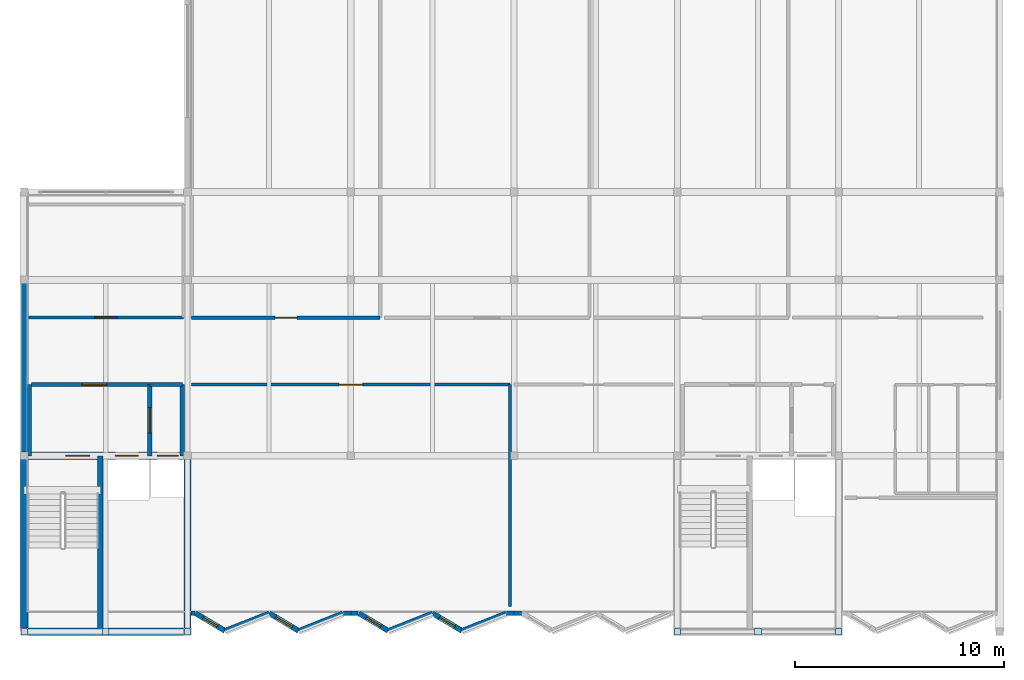
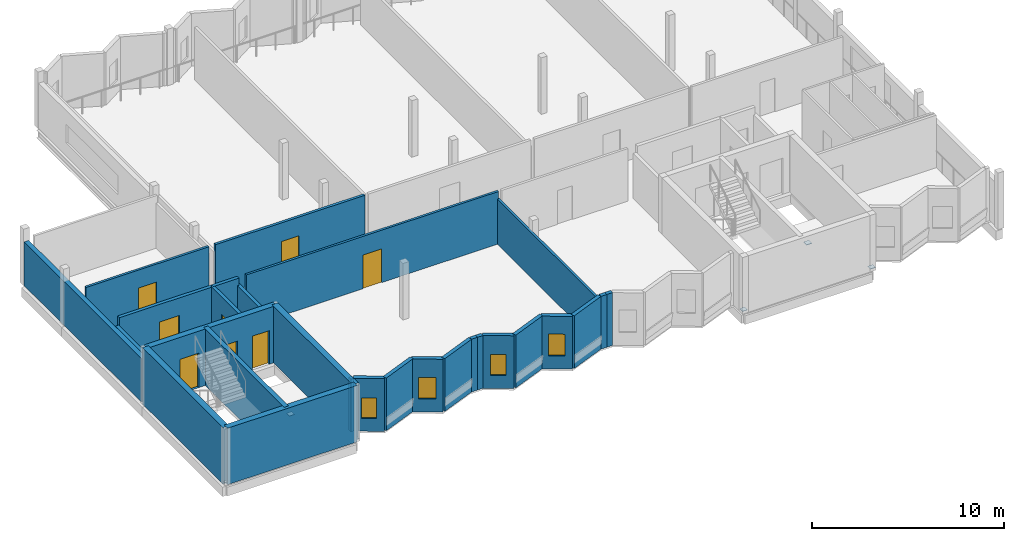
# One storey, part 4 of 11: 28 walls, 8 doors, 6 plates, 4 windows, 12 openings.
"""IFC4 building model written with IfcOpenShell, lengths in metres."""

from ifc_helpers import new_model, si_unit, direction, frame, frame_2d, origin, origin_2d, place, context, subcontext, project, spatial, rectangle, extrude, material, layer, layer_set, type_object, element, fill, save


model = new_model("IFC4")

# Units and contexts
model_context = context("Model", 3, precision=1e-05, world=origin(), true_north=direction((0.0, 1.0)))
body_context = subcontext(model_context, "Body", "Model", "MODEL_VIEW")
ifc_project = project(units=[si_unit("LENGTHUNIT", "METRE"), si_unit("AREAUNIT", "SQUARE_METRE"), si_unit("VOLUMEUNIT", "CUBIC_METRE"), si_unit("PLANEANGLEUNIT", "RADIAN"), si_unit("MASSUNIT", "GRAM", prefix="KILO")], contexts=[model_context])

# Site, building, storey
site_placement = place(None, origin())
site = spatial("IfcSite", under=ifc_project, at=site_placement, CompositionType="ELEMENT")
building_placement = place(site_placement, origin())
building = spatial("IfcBuilding", under=site, at=building_placement, Name="Vharandega Faculty of Natural Sciences", CompositionType="ELEMENT")
storey_placement = place(building_placement, frame((0.0, 0.0, 39.60009765625)))
storey = spatial("IfcBuildingStorey", under=building, at=storey_placement, Name="L10", CompositionType="ELEMENT", Elevation=39.60009765625)

# Plates
ifc_material_1 = material(Name="Steel S355", Category="steel")
ifc_layer_1 = layer(ifc_material_1, 0.02490234375, Name="Steel S355")
ifc_layer_set_1 = layer_set([ifc_layer_1], Name="Steel S355")
plate_type = type_object("IfcPlateType", Name="Hollow Section End Cap Plate 25mm", PredefinedType="USERDEFINED", material=ifc_layer_set_1)
plate_1_placement = place(storey_placement, frame((114.800048828125, 64.0, 0.137451171875), z_axis=(0.0, 0.0, 1.0), x_axis=(1.0, 0.0, 0.0)))
element("IfcPlate", 1, at=plate_1_placement, inside=storey, type_object=plate_type, Name="Node Cap Plate CHV-J-L10 #83", ObjectType="CAP PLATE", PredefinedType="USERDEFINED", context=body_context, shape_type="SweptSolid", body=[
    extrude(rectangle(XDim=0.300048828125, YDim=0.300048828125, at=origin_2d()), origin(), (0.0, 0.0, 1.0), 0.02490234375),
])
plate_2_placement = place(storey_placement, frame((118.699951171875, 64.0, 3.02734375), z_axis=(0.0, 0.0, 1.0), x_axis=(1.0, 0.0, 0.0)))
element("IfcPlate", 2, at=plate_2_placement, inside=storey, type_object=plate_type, Name="Node Cap Plate CHV-J-L10 #84", ObjectType="CAP PLATE", PredefinedType="USERDEFINED", context=body_context, shape_type="SweptSolid", body=[
    extrude(rectangle(XDim=0.320068359375, YDim=0.320068359375, at=origin_2d()), origin(), (0.0, 0.0, 1.0), 0.02490234375),
])
for number, where, z_axis, x_axis, name in (
    (3, (122.60009765625, 64.0, 0.137451171875), (0.0, 0.0, 1.0), (1.0, 0.0, 0.0), "Node Cap Plate CHV-J-L10 #85"),
    (4, (146.0, 64.0, 0.137451171875), (0.0, 0.0, 1.0), (1.0, 0.0, 0.0), "Node Cap Plate CHV-J2-L10 #113"),
):
    element("IfcPlate", number, at=place(storey_placement, frame(where, z_axis=z_axis, x_axis=x_axis)), inside=storey, type_object=plate_type, Name=name, ObjectType="CAP PLATE", PredefinedType="USERDEFINED", context=body_context, shape_type="SweptSolid", body=[
        extrude(rectangle(XDim=0.300048828125, YDim=0.300048828125, at=origin_2d()), origin(), (0.0, 0.0, 1.0), 0.02490234375),
    ])
plate_3_placement = place(storey_placement, frame((149.85009765625, 64.0, 3.02734375), z_axis=(0.0, 0.0, 1.0), x_axis=(1.0, 0.0, 0.0)))
element("IfcPlate", 5, at=plate_3_placement, inside=storey, type_object=plate_type, Name="Node Cap Plate CHV-J2-L10 #114", ObjectType="CAP PLATE", PredefinedType="USERDEFINED", context=body_context, shape_type="SweptSolid", body=[
    extrude(rectangle(XDim=0.320068359375, YDim=0.320068359375, at=origin_2d()), origin(), (0.0, 0.0, 1.0), 0.02490234375),
])
plate_4_placement = place(storey_placement, frame((153.699951171875, 64.0, 0.137451171875), z_axis=(0.0, 0.0, 1.0), x_axis=(1.0, 0.0, 0.0)))
element("IfcPlate", 6, at=plate_4_placement, inside=storey, type_object=plate_type, Name="Node Cap Plate CHV-J2-L10 #115", ObjectType="CAP PLATE", PredefinedType="USERDEFINED", context=body_context, shape_type="SweptSolid", body=[
    extrude(rectangle(XDim=0.300048828125, YDim=0.300048828125, at=origin_2d()), origin(), (0.0, 0.0, 1.0), 0.02490234375),
])

# Walls
ifc_material_2 = material(Name="Concrete C40/50", Category="concrete")
ifc_layer_2 = layer(ifc_material_2, 0.35009765625, Name="Concrete C40/50")
ifc_layer_set_2 = layer_set([ifc_layer_2], Name="Concrete C40/50")
wall_type_1 = type_object("IfcWallType", Name="Core Shear Wall 350", PredefinedType="SHEAR", material=ifc_layer_set_2)
wall_1_placement = place(storey_placement, frame((114.800048828125, 64.0, 0.0), z_axis=(0.0, 0.0, 1.0), x_axis=(1.0, 0.0, 0.0)))
element("IfcWall", 7, at=wall_1_placement, inside=storey, type_object=wall_type_1, Name="Interior Wall CW-C1-L10-S", PredefinedType="SHEAR", context=body_context, shape_type="SweptSolid", body=[
    extrude(rectangle(XDim=7.800048828125, YDim=0.35009765625, at=frame_2d((3.89990234375, 0.0))), origin(), (0.0, 0.0, 1.0), 3.599853515625),
])
for number, where, z_axis, x_axis, name in (
    (8, (114.800048828125, 64.0, 0.0), (0.0, 0.0, 1.0), (0.0, 1.0, 0.0), "Interior Wall CW-C1-L10-W"),
    (9, (122.60009765625, 64.0, 0.0), (0.0, 0.0, 1.0), (0.0, 1.0, 0.0), "Interior Wall CW-C1-L10-E"),
):
    element("IfcWall", number, at=place(storey_placement, frame(where, z_axis=z_axis, x_axis=x_axis)), inside=storey, type_object=wall_type_1, Name=name, PredefinedType="SHEAR", context=body_context, shape_type="SweptSolid", body=[
        extrude(rectangle(XDim=8.39990234375, YDim=0.35009765625, at=frame_2d((4.199951171875, 0.0))), origin(), (0.0, 0.0, 1.0), 3.599853515625),
    ])

# Wall, openings, doors
wall_2_placement = place(storey_placement, frame((114.800048828125, 72.39990234375, 0.0), z_axis=(0.0, 0.0, 1.0), x_axis=(1.0, 0.0, 0.0)))
wall_2 = element("IfcWall", 10, at=wall_2_placement, inside=storey, type_object=wall_type_1, Name="Interior Wall CW-C1-L10-N", PredefinedType="SHEAR", context=body_context, shape_type="SweptSolid", body=[
    extrude(rectangle(XDim=7.800048828125, YDim=0.35009765625, at=frame_2d((3.89990234375, 0.0))), origin(), (0.0, 0.0, 1.0), 3.599853515625),
])
opening_1_placement = place(wall_2_placement, frame((1.97998046875, 0.0, 0.0)))
opening_1 = element("IfcOpeningElement", 11, at=opening_1_placement, cuts=wall_2, Name="Opening FD1", PredefinedType="OPENING", context=body_context, shape_type="SweptSolid", body=[
    extrude(rectangle(XDim=1.14990234375, YDim=2.199951171875, at=frame_2d((0.574951171875, 1.10009765625))), frame((0.0, 0.18505859375, 0.0), z_axis=(0.0, -1.0, 0.0), x_axis=(1.0, 0.0, 0.0)), (0.0, 0.0, 1.0), 0.3701171875),
])
opening_2_placement = place(wall_2_placement, frame((4.35009765625, 0.0, 0.0)))
opening_2 = element("IfcOpeningElement", 12, at=opening_2_placement, cuts=wall_2, Name="Opening LD-FL1-L10", PredefinedType="OPENING", context=body_context, shape_type="SweptSolid", body=[
    extrude(rectangle(XDim=1.10009765625, YDim=2.14990234375, at=frame_2d((0.550048828125, 1.074951171875))), frame((0.0, 0.18505859375, 0.0), z_axis=(0.0, -1.0, 0.0), x_axis=(1.0, 0.0, 0.0)), (0.0, 0.0, 1.0), 0.3701171875),
])
opening_3_placement = place(wall_2_placement, frame((6.360107421875, 0.0, 0.0)))
opening_3 = element("IfcOpeningElement", 13, at=opening_3_placement, cuts=wall_2, Name="Opening LD-LP1-L10", PredefinedType="OPENING", context=body_context, shape_type="SweptSolid", body=[
    extrude(rectangle(XDim=1.0, YDim=2.14990234375, at=frame_2d((0.5, 1.074951171875))), frame((0.0, 0.18505859375, 0.0), z_axis=(0.0, -1.0, 0.0), x_axis=(1.0, 0.0, 0.0)), (0.0, 0.0, 1.0), 0.3701171875),
])
ifc_material_3 = material(Name="Solid-core hardwood timber fire door", Category="wood")
door_type_1 = type_object("IfcDoorType", Name="FD1-STAIR-1150x2200", OperationType="NOTDEFINED", PredefinedType="DOOR", material=ifc_material_3)
door_1_placement = place(opening_1_placement, origin())
door_1 = element("IfcDoor", 14, at=door_1_placement, inside=storey, type_object=door_type_1, Name="Stair ST1 Fire Door FD1", OperationType="SINGLE_SWING_LEFT", OverallHeight=2.199951171875, OverallWidth=1.14990234375, PredefinedType="DOOR", context=body_context, shape_type="SweptSolid", body=[
    extrude(rectangle(XDim=1.14990234375, YDim=2.199951171875, at=frame_2d((0.574951171875, 1.10009765625))), frame((0.0, 0.02490234375, 0.0), z_axis=(0.0, -1.0, 0.0), x_axis=(1.0, 0.0, 0.0)), (0.0, 0.0, 1.0), 0.050048828125),
])
fill(opening_1, door_1)
ifc_material_4 = material(Name="Brushed stainless steel sliding landing door", Category="steel")
door_type_2 = type_object("IfcDoorType", Name="LD1-FFLIFT-SLIDING-1100x2150", OperationType="DOUBLE_DOOR_SLIDING", PredefinedType="DOOR", material=ifc_material_4)
door_2_placement = place(opening_2_placement, origin())
door_2 = element("IfcDoor", 15, at=door_2_placement, inside=storey, type_object=door_type_2, Name="Lift Landing Door LD-FL1-L10", OperationType="DOUBLE_DOOR_SLIDING", OverallHeight=2.14990234375, OverallWidth=1.10009765625, PredefinedType="DOOR", context=body_context, shape_type="SweptSolid", body=[
    extrude(rectangle(XDim=1.10009765625, YDim=2.14990234375, at=frame_2d((0.550048828125, 1.074951171875))), frame((0.0, 0.02490234375, 0.0), z_axis=(0.0, -1.0, 0.0), x_axis=(1.0, 0.0, 0.0)), (0.0, 0.0, 1.0), 0.050048828125),
])
fill(opening_2, door_2)
ifc_material_5 = material(Name="Brushed stainless steel sliding landing door", Category="steel")
door_type_3 = type_object("IfcDoorType", Name="LD2-PAXLIFT-SLIDING-1000x2150", OperationType="DOUBLE_DOOR_SLIDING", PredefinedType="DOOR", material=ifc_material_5)
door_3_placement = place(opening_3_placement, origin())
door_3 = element("IfcDoor", 16, at=door_3_placement, inside=storey, type_object=door_type_3, Name="Lift Landing Door LD-LP1-L10", OperationType="DOUBLE_DOOR_SLIDING", OverallHeight=2.14990234375, OverallWidth=1.0, PredefinedType="DOOR", context=body_context, shape_type="SweptSolid", body=[
    extrude(rectangle(XDim=1.0, YDim=2.14990234375, at=frame_2d((0.5, 1.074951171875))), frame((0.0, 0.02490234375, 0.0), z_axis=(0.0, -1.0, 0.0), x_axis=(1.0, 0.0, 0.0)), (0.0, 0.0, 1.0), 0.050048828125),
])
fill(opening_3, door_3)

# Wall, opening, door
ifc_material_6 = material(Name="Concrete C40/50", Category="concrete")
ifc_layer_3 = layer(ifc_material_6, 0.199951171875, Name="Concrete C40/50")
ifc_layer_set_3 = layer_set([ifc_layer_3], Name="Concrete C40/50")
wall_type_2 = type_object("IfcWallType", Name="Firefighting Lobby Wall 200", PredefinedType="PARTITIONING", material=ifc_layer_set_3)
wall_3_placement = place(storey_placement, frame((115.14990234375, 75.800048828125, 0.0), z_axis=(0.0, 0.0, 1.0), x_axis=(1.0, 0.0, 0.0)))
wall_3 = element("IfcWall", 17, at=wall_3_placement, inside=storey, type_object=wall_type_2, Name="Interior Wall PW-FFL-C1-L10-N", PredefinedType="PARTITIONING", context=body_context, shape_type="SweptSolid", body=[
    extrude(rectangle(XDim=5.650146484375, YDim=0.199951171875, at=frame_2d((2.8251953125, 0.0))), origin(), (0.0, 0.0, 1.0), 3.31982421875),
])
opening_4_placement = place(wall_3_placement, frame((2.39990234375, 0.0, 0.0)))
opening_4 = element("IfcOpeningElement", 18, at=opening_4_placement, cuts=wall_3, Name="Opening FD2", PredefinedType="OPENING", context=body_context, shape_type="SweptSolid", body=[
    extrude(rectangle(XDim=1.199951171875, YDim=2.199951171875, at=frame_2d((0.60009765625, 1.10009765625))), frame((0.0, 0.10986328125, 0.0), z_axis=(0.0, -1.0, 0.0), x_axis=(1.0, 0.0, 0.0)), (0.0, 0.0, 1.0), 0.219970703125),
])
ifc_material_7 = material(Name="Solid-core hardwood timber fire door", Category="wood")
door_type_4 = type_object("IfcDoorType", Name="FD2-FFLOBBY-1200x2200", OperationType="NOTDEFINED", PredefinedType="DOOR", material=ifc_material_7)
door_4_placement = place(opening_4_placement, origin())
door_4 = element("IfcDoor", 19, at=door_4_placement, inside=storey, type_object=door_type_4, Name="Firefighting Lobby C1 Door FD2", OperationType="SINGLE_SWING_LEFT", OverallHeight=2.199951171875, OverallWidth=1.199951171875, PredefinedType="DOOR", context=body_context, shape_type="SweptSolid", body=[
    extrude(rectangle(XDim=1.199951171875, YDim=2.199951171875, at=frame_2d((0.60009765625, 1.10009765625))), frame((0.0, 0.02490234375, 0.0), z_axis=(0.0, -1.0, 0.0), x_axis=(1.0, 0.0, 0.0)), (0.0, 0.0, 1.0), 0.050048828125),
])
fill(opening_4, door_4)

# Wall
wall_4_placement = place(storey_placement, frame((115.050048828125, 72.39990234375, 0.0), z_axis=(0.0, 0.0, 1.0), x_axis=(0.0, 1.0, 0.0)))
element("IfcWall", 20, at=wall_4_placement, inside=storey, type_object=wall_type_2, Name="Interior Wall PW-FFL-C1-L10-W", PredefinedType="PARTITIONING", context=body_context, shape_type="SweptSolid", body=[
    extrude(rectangle(XDim=3.400146484375, YDim=0.199951171875, at=frame_2d((1.7001953125, 0.0))), origin(), (0.0, 0.0, 1.0), 2.789794921875),
])

# Wall, opening, door
wall_5_placement = place(storey_placement, frame((120.800048828125, 72.39990234375, 0.0), z_axis=(0.0, 0.0, 1.0), x_axis=(0.0, 1.0, 0.0)))
wall_5 = element("IfcWall", 21, at=wall_5_placement, inside=storey, type_object=wall_type_2, Name="Interior Wall PW-FFL-C1-L10-E", PredefinedType="PARTITIONING", context=body_context, shape_type="SweptSolid", body=[
    extrude(rectangle(XDim=3.400146484375, YDim=0.199951171875, at=frame_2d((1.7001953125, 0.0))), origin(), (0.0, 0.0, 1.0), 3.31982421875),
])
opening_5_placement = place(wall_5_placement, frame((1.10009765625, 0.0, 0.0)))
opening_5 = element("IfcOpeningElement", 22, at=opening_5_placement, cuts=wall_5, Name="Opening FD2", PredefinedType="OPENING", context=body_context, shape_type="SweptSolid", body=[
    extrude(rectangle(XDim=1.199951171875, YDim=2.199951171875, at=frame_2d((0.60009765625, 1.10009765625))), frame((0.0, 0.10986328125, 0.0), z_axis=(0.0, -1.0, 0.0), x_axis=(1.0, 0.0, 0.0)), (0.0, 0.0, 1.0), 0.219970703125),
])
door_5_placement = place(opening_5_placement, origin())
door_5 = element("IfcDoor", 23, at=door_5_placement, inside=storey, type_object=door_type_4, Name="Lobby Interconnect C1 Door FD2", OperationType="SINGLE_SWING_RIGHT", OverallHeight=2.199951171875, OverallWidth=1.199951171875, PredefinedType="DOOR", context=body_context, shape_type="SweptSolid", body=[
    extrude(rectangle(XDim=1.199951171875, YDim=2.199951171875, at=frame_2d((0.60009765625, 1.10009765625))), frame((0.0, 0.02490234375, 0.0), z_axis=(0.0, -1.0, 0.0), x_axis=(1.0, 0.0, 0.0)), (0.0, 0.0, 1.0), 0.050048828125),
])
fill(opening_5, door_5)

# Walls
wall_6_placement = place(storey_placement, frame((120.800048828125, 75.800048828125, 0.0), z_axis=(0.0, 0.0, 1.0), x_axis=(1.0, 0.0, 0.0)))
element("IfcWall", 24, at=wall_6_placement, inside=storey, type_object=wall_type_2, Name="Interior Wall PW-LL-C1-L10-N", PredefinedType="PARTITIONING", context=body_context, shape_type="SweptSolid", body=[
    extrude(rectangle(XDim=1.550048828125, YDim=0.199951171875, at=frame_2d((0.77490234375, 0.0))), origin(), (0.0, 0.0, 1.0), 3.31982421875),
])
wall_7_placement = place(storey_placement, frame((122.35009765625, 72.39990234375, 0.0), z_axis=(0.0, 0.0, 1.0), x_axis=(0.0, 1.0, 0.0)))
element("IfcWall", 25, at=wall_7_placement, inside=storey, type_object=wall_type_2, Name="Interior Wall PW-LL-C1-L10-E", PredefinedType="PARTITIONING", context=body_context, shape_type="SweptSolid", body=[
    extrude(rectangle(XDim=3.400146484375, YDim=0.199951171875, at=frame_2d((1.7001953125, 0.0))), origin(), (0.0, 0.0, 1.0), 2.869873046875),
])

# Wall, opening, door
ifc_material_8 = material(Name="Gypsum fire-board on steel stud", Category="steel")
ifc_layer_4 = layer(ifc_material_8, 0.159912109375, Name="Gypsum fire-board on steel stud")
ifc_layer_set_4 = layer_set([ifc_layer_4], Name="Gypsum fire-board on steel stud")
wall_type_3 = type_object("IfcWallType", Name="Laboratory Fire Corridor Wall 160", PredefinedType="PARTITIONING", material=ifc_layer_set_4)
wall_8_placement = place(storey_placement, frame((122.800048828125, 79.0, 0.0), z_axis=(0.0, 0.0, 1.0), x_axis=(1.0, 0.0, 0.0)))
wall_8 = element("IfcWall", 26, at=wall_8_placement, inside=storey, type_object=wall_type_3, Name="Interior Wall PW-L10-R08S", PredefinedType="PARTITIONING", context=body_context, shape_type="SweptSolid", body=[
    extrude(rectangle(XDim=9.0, YDim=0.159912109375, at=frame_2d((4.5, 0.0))), origin(), (0.0, 0.0, 1.0), 3.33984375),
])
opening_6_placement = place(wall_8_placement, frame((3.97509765625, 0.0, 0.0)))
opening_6 = element("IfcOpeningElement", 27, at=opening_6_placement, cuts=wall_8, Name="Opening FD4", PredefinedType="OPENING", context=body_context, shape_type="SweptSolid", body=[
    extrude(rectangle(XDim=1.050048828125, YDim=2.14990234375, at=frame_2d((0.52490234375, 1.074951171875))), frame((0.0, 0.08984375, 0.0), z_axis=(0.0, -1.0, 0.0), x_axis=(1.0, 0.0, 0.0)), (0.0, 0.0, 1.0), 0.179931640625),
])
ifc_material_9 = material(Name="Solid-core hardwood timber fire door", Category="wood")
door_type_5 = type_object("IfcDoorType", Name="FD4-LAB-SGL-1050x2150", OperationType="NOTDEFINED", PredefinedType="DOOR", material=ifc_material_9)
door_6_placement = place(opening_6_placement, origin())
door_6 = element("IfcDoor", 28, at=door_6_placement, inside=storey, type_object=door_type_5, Name="Atmospheric and Highveld Climate Laboratory Door FD4", OperationType="SINGLE_SWING_RIGHT", OverallHeight=2.14990234375, OverallWidth=1.050048828125, PredefinedType="DOOR", context=body_context, shape_type="SweptSolid", body=[
    extrude(rectangle(XDim=1.050048828125, YDim=2.14990234375, at=frame_2d((0.52490234375, 1.074951171875))), frame((0.0, 0.02490234375, 0.0), z_axis=(0.0, -1.0, 0.0), x_axis=(1.0, 0.0, 0.0)), (0.0, 0.0, 1.0), 0.050048828125),
])
fill(opening_6, door_6)

# Wall
ifc_material_10 = material(Name="Concrete C40/50", Category="concrete")
ifc_layer_5 = layer(ifc_material_10, 0.260009765625, Name="Concrete C40/50")
ifc_layer_set_5 = layer_set([ifc_layer_5], Name="Concrete C40/50")
wall_type_4 = type_object("IfcWallType", Name="Lift Shaft Shear Wall 260", PredefinedType="SHEAR", material=ifc_layer_set_5)
wall_9_placement = place(storey_placement, frame((118.43994140625, 64.0, 0.0), z_axis=(0.0, 0.0, 1.0), x_axis=(0.0, 1.0, 0.0)))
element("IfcWall", 29, at=wall_9_placement, inside=storey, type_object=wall_type_4, Name="Interior Wall CW-C1-L10-DIV", PredefinedType="SHEAR", context=body_context, shape_type="SweptSolid", body=[
    extrude(rectangle(XDim=8.39990234375, YDim=0.260009765625, at=frame_2d((4.199951171875, 0.0))), origin(), (0.0, 0.0, 1.0), 3.599853515625),
])

# Wall, opening, door
ifc_material_11 = material(Name="Gypsum acoustic partition", Category="gypsum")
ifc_layer_6 = layer(ifc_material_11, 0.139892578125, Name="Gypsum acoustic partition")
ifc_layer_set_6 = layer_set([ifc_layer_6], Name="Gypsum acoustic partition")
wall_type_5 = type_object("IfcWallType", Name="Room Partition Wall 140", PredefinedType="PARTITIONING", material=ifc_layer_set_6)
wall_10_placement = place(storey_placement, frame((115.0, 79.0, 0.0), z_axis=(0.0, 0.0, 1.0), x_axis=(1.0, 0.0, 0.0)))
wall_10 = element("IfcWall", 30, at=wall_10_placement, inside=storey, type_object=wall_type_5, Name="Interior Wall PW-L10-R01S", PredefinedType="PARTITIONING", context=body_context, shape_type="SweptSolid", body=[
    extrude(rectangle(XDim=7.39990234375, YDim=0.139892578125, at=frame_2d((3.699951171875, 0.0))), origin(), (0.0, 0.0, 1.0), 3.33984375),
])
opening_7_placement = place(wall_10_placement, frame((3.159912109375, 0.0, 0.0)))
opening_7 = element("IfcOpeningElement", 31, at=opening_7_placement, cuts=wall_10, Name="Opening D0372", PredefinedType="OPENING", context=body_context, shape_type="SweptSolid", body=[
    extrude(rectangle(XDim=1.080078125, YDim=2.199951171875, at=frame_2d((0.5400390625, 1.10009765625))), frame((0.0, 0.080078125, 0.0), z_axis=(0.0, -1.0, 0.0), x_axis=(1.0, 0.0, 0.0)), (0.0, 0.0, 1.0), 0.159912109375),
])
ifc_material_12 = material(Name="Solid-core hardwood timber fire door", Category="wood")
door_type_6 = type_object("IfcDoorType", Name="ID03-SEMINAR-1080x2200", OperationType="NOTDEFINED", PredefinedType="DOOR", material=ifc_material_12)
door_7_placement = place(opening_7_placement, origin())
door_7 = element("IfcDoor", 32, at=door_7_placement, inside=storey, type_object=door_type_6, Name="Spectrometer Gas-Cylinder Control Room Door D0372", OperationType="SINGLE_SWING_LEFT", OverallHeight=2.199951171875, OverallWidth=1.080078125, PredefinedType="DOOR", context=body_context, shape_type="SweptSolid", body=[
    extrude(rectangle(XDim=1.080078125, YDim=2.199951171875, at=frame_2d((0.5400390625, 1.10009765625))), frame((0.0, 0.02490234375, 0.0), z_axis=(0.0, -1.0, 0.0), x_axis=(1.0, 0.0, 0.0)), (0.0, 0.0, 1.0), 0.050048828125),
])
fill(opening_7, door_7)

wall_11_placement = place(storey_placement, frame((122.800048828125, 75.800048828125, 0.0), z_axis=(0.0, 0.0, 1.0), x_axis=(1.0, 0.0, 0.0)))
wall_11 = element("IfcWall", 33, at=wall_11_placement, inside=storey, type_object=wall_type_5, Name="Interior Wall PW-L10-R02N", PredefinedType="PARTITIONING", context=body_context, shape_type="SweptSolid", body=[
    extrude(rectangle(XDim=15.199951171875, YDim=0.139892578125, at=frame_2d((7.60009765625, 0.0))), origin(), (0.0, 0.0, 1.0), 3.33984375),
])
opening_8_placement = place(wall_11_placement, frame((7.0400390625, 0.0, 0.0)))
opening_8 = element("IfcOpeningElement", 34, at=opening_8_placement, cuts=wall_11, Name="Opening D0373", PredefinedType="OPENING", context=body_context, shape_type="SweptSolid", body=[
    extrude(rectangle(XDim=1.1201171875, YDim=2.14990234375, at=frame_2d((0.56005859375, 1.074951171875))), frame((0.0, 0.080078125, 0.0), z_axis=(0.0, -1.0, 0.0), x_axis=(1.0, 0.0, 0.0)), (0.0, 0.0, 1.0), 0.159912109375),
])
ifc_material_13 = material(Name="Solid-core hardwood timber fire door", Category="wood")
door_type_7 = type_object("IfcDoorType", Name="ID12-STUDIO-1120x2150", OperationType="NOTDEFINED", PredefinedType="DOOR", material=ifc_material_13)
door_8_placement = place(opening_8_placement, origin())
door_8 = element("IfcDoor", 35, at=door_8_placement, inside=storey, type_object=door_type_7, Name="Faculty Research Write-Up Studio 10B Door D0373", OperationType="SINGLE_SWING_RIGHT", OverallHeight=2.14990234375, OverallWidth=1.1201171875, PredefinedType="DOOR", context=body_context, shape_type="SweptSolid", body=[
    extrude(rectangle(XDim=1.1201171875, YDim=2.14990234375, at=frame_2d((0.56005859375, 1.074951171875))), frame((0.0, 0.02490234375, 0.0), z_axis=(0.0, -1.0, 0.0), x_axis=(1.0, 0.0, 0.0)), (0.0, 0.0, 1.0), 0.050048828125),
])
fill(opening_8, door_8)

# Wall
wall_12_placement = place(storey_placement, frame((138.0, 65.199951171875, 0.0), z_axis=(0.0, 0.0, 1.0), x_axis=(0.0, 1.0, 0.0)))
element("IfcWall", 36, at=wall_12_placement, inside=storey, type_object=wall_type_5, Name="Interior Wall PW-L10-R02E", PredefinedType="PARTITIONING", context=body_context, shape_type="SweptSolid", body=[
    extrude(rectangle(XDim=10.60009765625, YDim=0.139892578125, at=frame_2d((5.300048828125, 0.0))), origin(), (0.0, 0.0, 1.0), 2.869873046875),
])

# Wall, opening, window
ifc_material_14 = material(Name="Precast concrete C40/50", Category="concrete")
ifc_layer_7 = layer(ifc_material_14, 0.25, Name="Precast concrete C40/50")
ifc_layer_set_7 = layer_set([ifc_layer_7], Name="Precast concrete C40/50")
wall_type_6 = type_object("IfcWallType", Name="Sawtooth Glazed-Face Precast Wall 250", PredefinedType="SOLIDWALL", material=ifc_layer_set_7)
wall_13_placement = place(storey_placement, frame((124.387939453125, 64.0400390625, 0.0), z_axis=(0.0, 0.0, 1.0), x_axis=(-0.858817206091, 0.512282155185, 0.0)))
wall_13 = element("IfcWall", 37, at=wall_13_placement, inside=storey, type_object=wall_type_6, Name="Exterior Wall EW-SAW-L10-S01G", PredefinedType="SOLIDWALL", context=body_context, shape_type="SweptSolid", body=[
    extrude(rectangle(XDim=1.639404296875, YDim=0.25, at=frame_2d((0.81982421875, 0.0))), origin(), (0.0, 0.0, 1.0), 3.35986328125),
])
opening_9_placement = place(wall_13_placement, frame((0.4296875, 0.0, 0.820068359375)))
opening_9 = element("IfcOpeningElement", 38, at=opening_9_placement, cuts=wall_13, Name="Opening WN-06A", PredefinedType="OPENING", context=body_context, shape_type="SweptSolid", body=[
    extrude(rectangle(XDim=0.780029296875, YDim=1.300048828125, at=frame_2d((0.39013671875, 0.64990234375))), frame((0.0, 0.135009765625, 0.0), z_axis=(0.0, -1.0, 0.0), x_axis=(1.0, 0.0, 0.0)), (0.0, 0.0, 1.0), 0.27001953125),
])
ifc_material_15 = material(Name="Double-glazed solar-control glass in thermally broken aluminium frame", Category="aluminium")
window_type_1 = type_object("IfcWindowType", Name="WIN-SAW-078x130", PartitioningType="SINGLE_PANEL", PredefinedType="WINDOW", material=ifc_material_15)
window_1_placement = place(opening_9_placement, origin())
window_1 = element("IfcWindow", 39, at=window_1_placement, inside=storey, type_object=window_type_1, Name="Window WIN-L10-0119", OverallHeight=1.300048828125, OverallWidth=0.780029296875, PartitioningType="SINGLE_PANEL", PredefinedType="WINDOW", context=body_context, shape_type="SweptSolid", body=[
    extrude(rectangle(XDim=0.780029296875, YDim=1.300048828125, at=frame_2d((0.39013671875, 0.64990234375))), frame((0.0, 0.030029296875, 0.0), z_axis=(0.0, -1.0, 0.0), x_axis=(1.0, 0.0, 0.0)), (0.0, 0.0, 1.0), 0.06005859375),
])
fill(opening_9, window_1)

wall_14_placement = place(storey_placement, frame((127.907958984375, 64.0400390625, 0.0), z_axis=(0.0, 0.0, 1.0), x_axis=(-0.858817206091, 0.512282155185, 0.0)))
wall_14 = element("IfcWall", 40, at=wall_14_placement, inside=storey, type_object=wall_type_6, Name="Exterior Wall EW-SAW-L10-S02G", PredefinedType="SOLIDWALL", context=body_context, shape_type="SweptSolid", body=[
    extrude(rectangle(XDim=1.639404296875, YDim=0.25, at=frame_2d((0.81982421875, 0.0))), origin(), (0.0, 0.0, 1.0), 3.35986328125),
])
opening_10_placement = place(wall_14_placement, frame((0.35986328125, 0.0, 0.820068359375)))
opening_10 = element("IfcOpeningElement", 41, at=opening_10_placement, cuts=wall_14, Name="Opening WN-06B", PredefinedType="OPENING", context=body_context, shape_type="SweptSolid", body=[
    extrude(rectangle(XDim=0.919921875, YDim=1.3798828125, at=frame_2d((0.4599609375, 0.68994140625))), frame((0.0, 0.135009765625, 0.0), z_axis=(0.0, -1.0, 0.0), x_axis=(1.0, 0.0, 0.0)), (0.0, 0.0, 1.0), 0.27001953125),
])
ifc_material_16 = material(Name="Double-glazed solar-control glass in thermally broken aluminium frame", Category="aluminium")
window_type_2 = type_object("IfcWindowType", Name="WIN-SAW-092x138", PartitioningType="SINGLE_PANEL", PredefinedType="WINDOW", material=ifc_material_16)
window_2_placement = place(opening_10_placement, origin())
window_2 = element("IfcWindow", 42, at=window_2_placement, inside=storey, type_object=window_type_2, Name="Window WIN-L10-0120", OverallHeight=1.3798828125, OverallWidth=0.919921875, PartitioningType="SINGLE_PANEL", PredefinedType="WINDOW", context=body_context, shape_type="SweptSolid", body=[
    extrude(rectangle(XDim=0.919921875, YDim=1.3798828125, at=frame_2d((0.4599609375, 0.68994140625))), frame((0.0, 0.030029296875, 0.0), z_axis=(0.0, -1.0, 0.0), x_axis=(1.0, 0.0, 0.0)), (0.0, 0.0, 1.0), 0.06005859375),
])
fill(opening_10, window_2)

wall_15_placement = place(storey_placement, frame((132.18798828125, 64.0400390625, 0.0), z_axis=(0.0, 0.0, 1.0), x_axis=(-0.858817206091, 0.512282155185, 0.0)))
wall_15 = element("IfcWall", 43, at=wall_15_placement, inside=storey, type_object=wall_type_6, Name="Exterior Wall EW-SAW-L10-S03G", PredefinedType="SOLIDWALL", context=body_context, shape_type="SweptSolid", body=[
    extrude(rectangle(XDim=1.639404296875, YDim=0.25, at=frame_2d((0.81982421875, 0.0))), origin(), (0.0, 0.0, 1.0), 3.35986328125),
])
opening_11_placement = place(wall_15_placement, frame((0.419921875, 0.0, 0.820068359375)))
opening_11 = element("IfcOpeningElement", 44, at=opening_11_placement, cuts=wall_15, Name="Opening WN-01", PredefinedType="OPENING", context=body_context, shape_type="SweptSolid", body=[
    extrude(rectangle(XDim=0.800048828125, YDim=1.35009765625, at=frame_2d((0.39990234375, 0.675048828125))), frame((0.0, 0.135009765625, 0.0), z_axis=(0.0, -1.0, 0.0), x_axis=(1.0, 0.0, 0.0)), (0.0, 0.0, 1.0), 0.27001953125),
])
ifc_material_17 = material(Name="Double-glazed solar-control glass in thermally broken aluminium frame", Category="aluminium")
window_type_3 = type_object("IfcWindowType", Name="WIN-SAW-080x135", PartitioningType="SINGLE_PANEL", PredefinedType="WINDOW", material=ifc_material_17)
window_3_placement = place(opening_11_placement, origin())
window_3 = element("IfcWindow", 45, at=window_3_placement, inside=storey, type_object=window_type_3, Name="Window WIN-L10-0121", OverallHeight=1.35009765625, OverallWidth=0.800048828125, PartitioningType="SINGLE_PANEL", PredefinedType="WINDOW", context=body_context, shape_type="SweptSolid", body=[
    extrude(rectangle(XDim=0.800048828125, YDim=1.35009765625, at=frame_2d((0.39990234375, 0.675048828125))), frame((0.0, 0.030029296875, 0.0), z_axis=(0.0, -1.0, 0.0), x_axis=(1.0, 0.0, 0.0)), (0.0, 0.0, 1.0), 0.06005859375),
])
fill(opening_11, window_3)

wall_16_placement = place(storey_placement, frame((135.7080078125, 64.0400390625, 0.0), z_axis=(0.0, 0.0, 1.0), x_axis=(-0.858817206091, 0.512282155185, 0.0)))
wall_16 = element("IfcWall", 46, at=wall_16_placement, inside=storey, type_object=wall_type_6, Name="Exterior Wall EW-SAW-L10-S04G", PredefinedType="SOLIDWALL", context=body_context, shape_type="SweptSolid", body=[
    extrude(rectangle(XDim=1.639404296875, YDim=0.25, at=frame_2d((0.81982421875, 0.0))), origin(), (0.0, 0.0, 1.0), 3.35986328125),
])
opening_12_placement = place(wall_16_placement, frame((0.394775390625, 0.0, 0.820068359375)))
opening_12 = element("IfcOpeningElement", 47, at=opening_12_placement, cuts=wall_16, Name="Opening WN-02", PredefinedType="OPENING", context=body_context, shape_type="SweptSolid", body=[
    extrude(rectangle(XDim=0.85009765625, YDim=1.39990234375, at=frame_2d((0.425048828125, 0.699951171875))), frame((0.0, 0.135009765625, 0.0), z_axis=(0.0, -1.0, 0.0), x_axis=(1.0, 0.0, 0.0)), (0.0, 0.0, 1.0), 0.27001953125),
])
ifc_material_18 = material(Name="Double-glazed solar-control glass in thermally broken aluminium frame", Category="aluminium")
window_type_4 = type_object("IfcWindowType", Name="WIN-SAW-085x140", PartitioningType="SINGLE_PANEL", PredefinedType="WINDOW", material=ifc_material_18)
window_4_placement = place(opening_12_placement, origin())
window_4 = element("IfcWindow", 48, at=window_4_placement, inside=storey, type_object=window_type_4, Name="Window WIN-L10-0122", OverallHeight=1.39990234375, OverallWidth=0.85009765625, PartitioningType="SINGLE_PANEL", PredefinedType="WINDOW", context=body_context, shape_type="SweptSolid", body=[
    extrude(rectangle(XDim=0.85009765625, YDim=1.39990234375, at=frame_2d((0.425048828125, 0.699951171875))), frame((0.0, 0.030029296875, 0.0), z_axis=(0.0, -1.0, 0.0), x_axis=(1.0, 0.0, 0.0)), (0.0, 0.0, 1.0), 0.06005859375),
])
fill(opening_12, window_4)

# Walls
ifc_material_19 = material(Name="Precast concrete C40/50", Category="concrete")
ifc_layer_8 = layer(ifc_material_19, 0.22998046875, Name="Precast concrete C40/50")
ifc_layer_set_8 = layer_set([ifc_layer_8], Name="Precast concrete C40/50")
wall_type_7 = type_object("IfcWallType", Name="Sawtooth Solid White Precast Wall 230", PredefinedType="SOLIDWALL", material=ifc_layer_set_8)
wall_17_placement = place(storey_placement, frame((122.949951171875, 64.8798828125, 0.0), z_axis=(0.0, 0.0, 1.0), x_axis=(-1.0, 0.0, 0.0)))
element("IfcWall", 49, at=wall_17_placement, inside=storey, type_object=wall_type_7, Name="Exterior Wall EW-SHL-L10-S1617FL", PredefinedType="SOLIDWALL", context=body_context, shape_type="SweptSolid", body=[
    extrude(rectangle(XDim=0.179931640625, YDim=0.22998046875, at=frame_2d((0.08984375, 0.0))), origin(), (0.0, 0.0, 1.0), 3.35986328125),
])
wall_18_placement = place(storey_placement, frame((130.39990234375, 64.8798828125, 0.0), z_axis=(0.0, 0.0, 1.0), x_axis=(-1.0, 0.0, 0.0)))
element("IfcWall", 50, at=wall_18_placement, inside=storey, type_object=wall_type_7, Name="Exterior Wall EW-SHL-L10-S1617FR", PredefinedType="SOLIDWALL", context=body_context, shape_type="SweptSolid", body=[
    extrude(rectangle(XDim=0.35986328125, YDim=0.22998046875, at=frame_2d((0.179931640625, 0.0))), origin(), (0.0, 0.0, 1.0), 3.35986328125),
])
wall_19_placement = place(storey_placement, frame((130.75, 64.8798828125, 0.0), z_axis=(0.0, 0.0, 1.0), x_axis=(-1.0, 0.0, 0.0)))
element("IfcWall", 51, at=wall_19_placement, inside=storey, type_object=wall_type_7, Name="Exterior Wall EW-SHL-L10-S1718FL", PredefinedType="SOLIDWALL", context=body_context, shape_type="SweptSolid", body=[
    extrude(rectangle(XDim=0.35009765625, YDim=0.22998046875, at=frame_2d((0.175048828125, 0.0))), origin(), (0.0, 0.0, 1.0), 3.35986328125),
])
wall_20_placement = place(storey_placement, frame((138.199951171875, 64.8798828125, 0.0), z_axis=(0.0, 0.0, 1.0), x_axis=(-1.0, 0.0, 0.0)))
element("IfcWall", 52, at=wall_20_placement, inside=storey, type_object=wall_type_7, Name="Exterior Wall EW-SHL-L10-S1718FR", PredefinedType="SOLIDWALL", context=body_context, shape_type="SweptSolid", body=[
    extrude(rectangle(XDim=0.35986328125, YDim=0.22998046875, at=frame_2d((0.179931640625, 0.0))), origin(), (0.0, 0.0, 1.0), 3.35986328125),
])
wall_21_placement = place(storey_placement, frame((138.550048828125, 64.8798828125, 0.0), z_axis=(0.0, 0.0, 1.0), x_axis=(-1.0, 0.0, 0.0)))
element("IfcWall", 53, at=wall_21_placement, inside=storey, type_object=wall_type_7, Name="Exterior Wall EW-SHL-L10-S1819FL", PredefinedType="SOLIDWALL", context=body_context, shape_type="SweptSolid", body=[
    extrude(rectangle(XDim=0.35009765625, YDim=0.22998046875, at=frame_2d((0.175048828125, 0.0))), origin(), (0.0, 0.0, 1.0), 3.35986328125),
])
for number, where, z_axis, x_axis, name in (
    (54, (126.5, 64.8798828125, 0.0), (0.0, 0.0, 1.0), (-0.929230364612, -0.369500919462, 0.0), "Exterior Wall EW-SAW-L10-S01S"),
    (55, (130.02001953125, 64.8798828125, 0.0), (0.0, 0.0, 1.0), (-0.929230364612, -0.369500919462, 0.0), "Exterior Wall EW-SAW-L10-S02S"),
    (56, (134.300048828125, 64.8798828125, 0.0), (0.0, 0.0, 1.0), (-0.929230364612, -0.369500919462, 0.0), "Exterior Wall EW-SAW-L10-S03S"),
    (57, (137.820068359375, 64.8798828125, 0.0), (0.0, 0.0, 1.0), (-0.929230364612, -0.369500919462, 0.0), "Exterior Wall EW-SAW-L10-S04S"),
):
    element("IfcWall", number, at=place(storey_placement, frame(where, z_axis=z_axis, x_axis=x_axis)), inside=storey, type_object=wall_type_7, Name=name, PredefinedType="SOLIDWALL", context=body_context, shape_type="SweptSolid", body=[
        extrude(rectangle(XDim=2.27294921875, YDim=0.22998046875, at=frame_2d((1.136474609375, 0.0))), origin(), (0.0, 0.0, 1.0), 3.35986328125),
    ])
ifc_material_20 = material(Name="Precast concrete C40/50", Category="concrete")
ifc_layer_9 = layer(ifc_material_20, 0.280029296875, Name="Precast concrete C40/50")
ifc_layer_set_9 = layer_set([ifc_layer_9], Name="Precast concrete C40/50")
wall_type_8 = type_object("IfcWallType", Name="White Precast End Wall 280", PredefinedType="SOLIDWALL", material=ifc_layer_set_9)
wall_22_placement = place(storey_placement, frame((114.800048828125, 72.577880859375, 0.0), z_axis=(0.0, 0.0, 1.0), x_axis=(0.0, 1.0, 0.0)))
element("IfcWall", 58, at=wall_22_placement, inside=storey, type_object=wall_type_8, Name="Exterior Wall EW-L10-V4C1W", PredefinedType="SOLIDWALL", context=body_context, shape_type="SweptSolid", body=[
    extrude(rectangle(XDim=12.244140625, YDim=0.280029296875, at=frame_2d((6.1220703125, 0.0))), origin(), (0.0, 0.0, 1.0), 2.789794921875),
])

save(model, "model.ifc")
